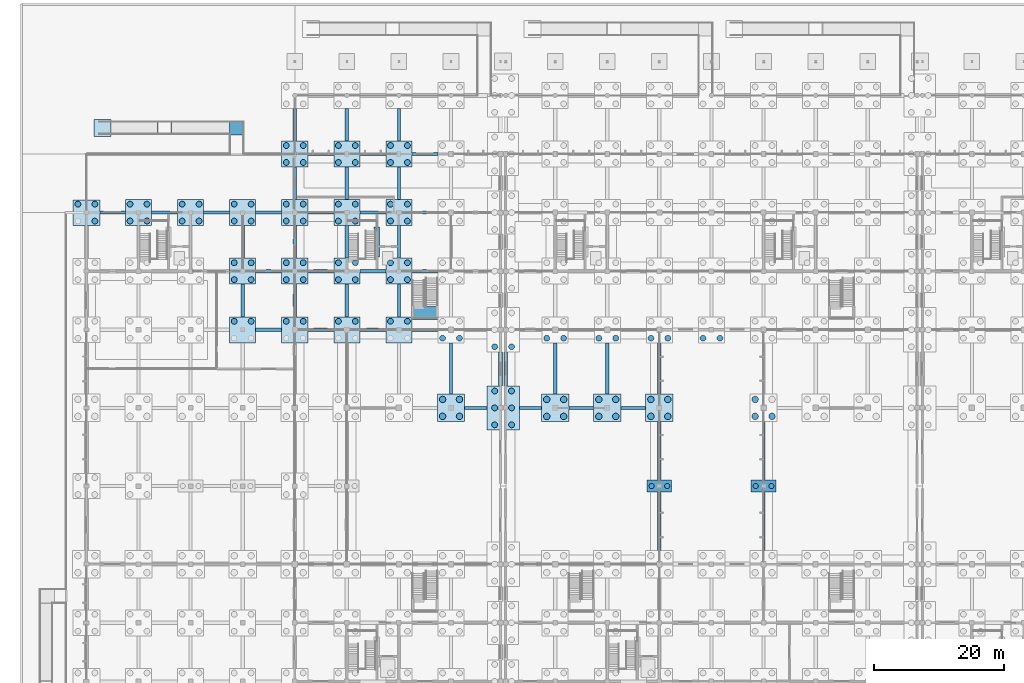
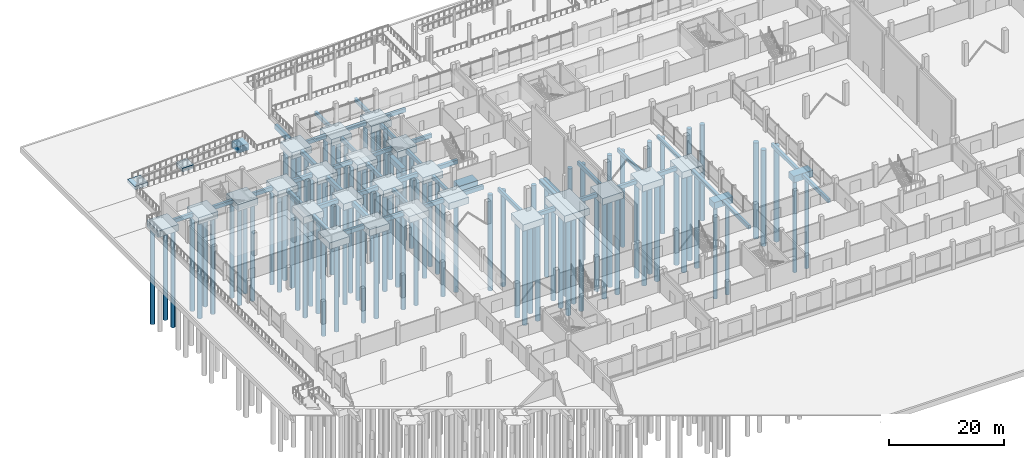
# One storey, part 5 of 72: 104 piles, 76 footings.
"""IFC4 building model written with IfcOpenShell, lengths in metres."""

from ifc_helpers import new_model, si_unit, direction, frame, origin, origin_2d, place, context, subcontext, project, spatial, rectangle, circle, extrude, material, material_profile, profile_set, type_object, element, save


model = new_model("IFC4")

# Units and contexts
model_context = context("Model", 3, precision=1e-05, world=origin(), true_north=direction((0.0, 1.0)))
body_context = subcontext(model_context, "Body", "Model", "MODEL_VIEW")
ifc_project = project(units=[si_unit("LENGTHUNIT", "METRE"), si_unit("AREAUNIT", "SQUARE_METRE"), si_unit("VOLUMEUNIT", "CUBIC_METRE"), si_unit("PLANEANGLEUNIT", "RADIAN"), si_unit("MASSUNIT", "GRAM", prefix="KILO"), si_unit("THERMODYNAMICTEMPERATUREUNIT", "KELVIN"), si_unit("POWERUNIT", "WATT")], contexts=[model_context])

# Site, building, storey
site_placement = place(None, origin())
site = spatial("IfcSite", under=ifc_project, at=site_placement, CompositionType="ELEMENT")
building_placement = place(site_placement, origin())
building = spatial("IfcBuilding", under=site, at=building_placement, Name="Kronsvod Quay Wholesale Market", CompositionType="ELEMENT")
storey_placement = place(building_placement, origin())
storey = spatial("IfcBuildingStorey", under=building, at=storey_placement, Name="L00", CompositionType="ELEMENT", Elevation=0.0)

# Footings
ifc_material_1 = material(Name="Concrete C35/45", Category="concrete")
footing_type_1 = type_object("IfcFootingType", Name="Cap_PC2A", PredefinedType="PILE_CAP", material=ifc_material_1)
for number, where, z_axis, x_axis, name in (
    (1, (88.0, 66.0, -2.64990234375), (0.0, 0.0, 1.0), (1.0, 0.0, 0.0), "CAP-141"),
    (2, (104.0, 66.0, -2.64990234375), (0.0, 0.0, 1.0), (1.0, 0.0, 0.0), "CAP-161"),
):
    element("IfcFooting", number, at=place(storey_placement, frame(where, z_axis=z_axis, x_axis=x_axis)), inside=storey, type_object=footing_type_1, Name=name, PredefinedType="PILE_CAP", context=body_context, shape_type="SweptSolid", body=[
        extrude(rectangle(XDim=3.800048828125, YDim=1.800048828125, at=origin_2d()), origin(), (0.0, 0.0, 1.0), 1.39990234375),
    ])
ifc_material_2 = material(Name="Concrete C35/45", Category="concrete")
footing_type_2 = type_object("IfcFootingType", Name="Cap_PC4A", PredefinedType="PILE_CAP", material=ifc_material_2)
for number, where, z_axis, x_axis, name in (
    (3, (8.0, 108.0, -2.64990234375), (0.0, 0.0, 1.0), (1.0, 0.0, 0.0), "CAP-044"),
    (4, (16.0, 108.0, -2.64990234375), (0.0, 0.0, 1.0), (1.0, 0.0, 0.0), "CAP-056"),
    (5, (24.0, 90.0, -2.64990234375), (0.0, 0.0, 1.0), (1.0, 0.0, 0.0), "CAP-066"),
    (6, (24.0, 99.0, -2.64990234375), (0.0, 0.0, 1.0), (1.0, 0.0, 0.0), "CAP-067"),
    (7, (24.0, 108.0, -2.64990234375), (0.0, 0.0, 1.0), (1.0, 0.0, 0.0), "CAP-068"),
    (8, (32.0, 90.0, -2.64990234375), (0.0, 0.0, 1.0), (1.0, 0.0, 0.0), "CAP-078"),
    (9, (32.0, 99.0, -2.64990234375), (0.0, 0.0, 1.0), (1.0, 0.0, 0.0), "CAP-079"),
    (10, (32.0, 108.0, -2.64990234375), (0.0, 0.0, 1.0), (1.0, 0.0, 0.0), "CAP-080"),
    (11, (32.0, 117.0, -2.64990234375), (0.0, 0.0, 1.0), (1.0, 0.0, 0.0), "CAP-081"),
    (12, (40.0, 90.0, -2.64990234375), (0.0, 0.0, 1.0), (1.0, 0.0, 0.0), "CAP-092"),
    (13, (40.0, 99.0, -2.64990234375), (0.0, 0.0, 1.0), (1.0, 0.0, 0.0), "CAP-093"),
    (14, (40.0, 108.0, -2.64990234375), (0.0, 0.0, 1.0), (1.0, 0.0, 0.0), "CAP-094"),
    (15, (40.0, 117.0, -2.64990234375), (0.0, 0.0, 1.0), (1.0, 0.0, 0.0), "CAP-095"),
    (16, (48.0, 90.0, -2.64990234375), (0.0, 0.0, 1.0), (1.0, 0.0, 0.0), "CAP-102"),
    (17, (48.0, 99.0, -2.64990234375), (0.0, 0.0, 1.0), (1.0, 0.0, 0.0), "CAP-103"),
    (18, (48.0, 108.0, -2.64990234375), (0.0, 0.0, 1.0), (1.0, 0.0, 0.0), "CAP-104"),
    (19, (48.0, 117.0, -2.64990234375), (0.0, 0.0, 1.0), (1.0, 0.0, 0.0), "CAP-105"),
):
    element("IfcFooting", number, at=place(storey_placement, frame(where, z_axis=z_axis, x_axis=x_axis)), inside=storey, type_object=footing_type_2, Name=name, PredefinedType="PILE_CAP", context=body_context, shape_type="SweptSolid", body=[
        extrude(rectangle(XDim=4.0, YDim=4.0, at=origin_2d()), origin(), (0.0, 0.0, 1.0), 1.39990234375),
    ])
ifc_material_3 = material(Name="Concrete C35/45", Category="concrete")
footing_type_3 = type_object("IfcFootingType", Name="Cap_PC4B", PredefinedType="PILE_CAP", material=ifc_material_3)
for number, where, z_axis, x_axis, name in (
    (20, (56.0, 78.0, -2.64990234375), (0.0, 0.0, 1.0), (1.0, 0.0, 0.0), "CAP-111"),
    (21, (72.0, 78.0, -2.64990234375), (0.0, 0.0, 1.0), (1.0, 0.0, 0.0), "CAP-121"),
    (22, (80.0, 78.0, -2.64990234375), (0.0, 0.0, 1.0), (1.0, 0.0, 0.0), "CAP-131"),
    (23, (88.0, 78.0, -2.64990234375), (0.0, 0.0, 1.0), (1.0, 0.0, 0.0), "CAP-142"),
):
    element("IfcFooting", number, at=place(storey_placement, frame(where, z_axis=z_axis, x_axis=x_axis)), inside=storey, type_object=footing_type_3, Name=name, PredefinedType="PILE_CAP", context=body_context, shape_type="SweptSolid", body=[
        extrude(rectangle(XDim=4.199951171875, YDim=4.199951171875, at=origin_2d()), origin(), (0.0, 0.0, 1.0), 1.39990234375),
    ])
ifc_material_4 = material(Name="Concrete C35/45", Category="concrete")
footing_type_4 = type_object("IfcFootingType", Name="Cap_PC4C", PredefinedType="PILE_CAP", material=ifc_material_4)
footing_1_placement = place(storey_placement, frame((0.0, 108.0, -2.64990234375), z_axis=(0.0, 0.0, 1.0), x_axis=(1.0, 0.0, 0.0)))
element("IfcFooting", 24, at=footing_1_placement, inside=storey, type_object=footing_type_4, Name="CAP-032", PredefinedType="PILE_CAP", context=body_context, shape_type="SweptSolid", body=[
    extrude(rectangle(XDim=4.10009765625, YDim=3.89990234375, at=origin_2d()), origin(), (0.0, 0.0, 1.0), 1.39990234375),
])
ifc_material_5 = material(Name="Concrete C35/45", Category="concrete")
footing_type_5 = type_object("IfcFootingType", Name="Cap_PC6H", PredefinedType="PILE_CAP", material=ifc_material_5)
footing_2_placement = place(storey_placement, frame((64.0, 78.0, -2.7001953125), z_axis=(0.0, 0.0, 1.0), x_axis=(1.0, 0.0, 0.0)))
element("IfcFooting", 25, at=footing_2_placement, inside=storey, type_object=footing_type_5, Name="CAP-J009", PredefinedType="PILE_CAP", context=body_context, shape_type="SweptSolid", body=[
    extrude(rectangle(XDim=5.0, YDim=6.800048828125, at=origin_2d()), origin(), (0.0, 0.0, 1.0), 1.449951171875),
])
ifc_material_6 = material(Name="Concrete C35/45", Category="concrete")
ifc_material_profile_1 = material_profile(ifc_material_6, rectangle(XDim=0.5, YDim=0.800048828125, at=origin_2d()), Name="FB-01")
ifc_profile_set_1 = profile_set([ifc_material_profile_1], Name="Concrete C35/45")
footing_type_6 = type_object("IfcFootingType", Name="FootingBeam_500x800", PredefinedType="FOOTING_BEAM", material=ifc_profile_set_1)
footing_3_placement = place(storey_placement, frame((58.10009765625, 78.0, -1.64990234375), z_axis=(1.0, 0.0, 0.0), x_axis=(0.0, 1.0, 0.0)))
element("IfcFooting", 26, at=footing_3_placement, inside=storey, type_object=footing_type_6, Name="FB-X-0060", PredefinedType="FOOTING_BEAM", context=body_context, shape_type="SweptSolid", body=[
    extrude(rectangle(XDim=0.5, YDim=0.800048828125, at=origin_2d()), origin(), (0.0, 0.0, 1.0), 3.39990234375),
])
footing_4_placement = place(storey_placement, frame((2.050048828125, 108.0, -1.64990234375), z_axis=(1.0, 0.0, 0.0), x_axis=(0.0, 1.0, 0.0)))
element("IfcFooting", 27, at=footing_4_placement, inside=storey, type_object=footing_type_6, Name="FB-X-0077", PredefinedType="FOOTING_BEAM", context=body_context, shape_type="SweptSolid", body=[
    extrude(rectangle(XDim=0.5, YDim=0.800048828125, at=origin_2d()), origin(), (0.0, 0.0, 1.0), 3.949951171875),
])
for number, where, z_axis, x_axis, name in (
    (28, (10.0, 108.0, -1.64990234375), (1.0, 0.0, 0.0), (0.0, 1.0, 0.0), "FB-X-0078"),
    (29, (18.0, 108.0, -1.64990234375), (1.0, 0.0, 0.0), (0.0, 1.0, 0.0), "FB-X-0079"),
    (30, (26.0, 108.0, -1.64990234375), (1.0, 0.0, 0.0), (0.0, 1.0, 0.0), "FB-X-0080"),
    (31, (34.0, 108.0, -1.64990234375), (1.0, 0.0, 0.0), (0.0, 1.0, 0.0), "FB-X-0081"),
    (32, (42.0, 108.0, -1.64990234375), (1.0, 0.0, 0.0), (0.0, 1.0, 0.0), "FB-X-0082"),
    (33, (50.0, 108.0, -1.64990234375), (1.0, 0.0, 0.0), (0.0, 1.0, 0.0), "FB-X-0083"),
    (34, (34.0, 117.0, -1.64990234375), (1.0, 0.0, 0.0), (0.0, 1.0, 0.0), "FB-X-0085"),
    (35, (42.0, 117.0, -1.64990234375), (1.0, 0.0, 0.0), (0.0, 1.0, 0.0), "FB-X-0086"),
    (36, (50.0, 117.0, -1.64990234375), (1.0, 0.0, 0.0), (0.0, 1.0, 0.0), "FB-X-0087"),
):
    element("IfcFooting", number, at=place(storey_placement, frame(where, z_axis=z_axis, x_axis=x_axis)), inside=storey, type_object=footing_type_6, Name=name, PredefinedType="FOOTING_BEAM", context=body_context, shape_type="SweptSolid", body=[
        extrude(rectangle(XDim=0.5, YDim=0.800048828125, at=origin_2d()), origin(), (0.0, 0.0, 1.0), 4.0),
    ])
for number, where, z_axis, x_axis, name in (
    (37, (24.0, 92.0, -1.64990234375), (0.0, 1.0, 0.0), (-1.0, 0.0, 0.0), "FB-Y-0137"),
    (38, (24.0, 101.0, -1.64990234375), (0.0, 1.0, 0.0), (-1.0, 0.0, 0.0), "FB-Y-0138"),
    (39, (40.0, 92.0, -1.64990234375), (0.0, 1.0, 0.0), (-1.0, 0.0, 0.0), "FB-Y-0161"),
    (40, (40.0, 101.0, -1.64990234375), (0.0, 1.0, 0.0), (-1.0, 0.0, 0.0), "FB-Y-0162"),
    (41, (40.0, 110.0, -1.64990234375), (0.0, 1.0, 0.0), (-1.0, 0.0, 0.0), "FB-Y-0163"),
    (42, (40.0, 119.0, -1.64990234375), (0.0, 1.0, 0.0), (-1.0, 0.0, 0.0), "FB-Y-0164"),
    (43, (48.0, 92.0, -1.64990234375), (0.0, 1.0, 0.0), (-1.0, 0.0, 0.0), "FB-Y-0169"),
    (44, (48.0, 101.0, -1.64990234375), (0.0, 1.0, 0.0), (-1.0, 0.0, 0.0), "FB-Y-0170"),
    (45, (48.0, 110.0, -1.64990234375), (0.0, 1.0, 0.0), (-1.0, 0.0, 0.0), "FB-Y-0171"),
    (46, (48.0, 119.0, -1.64990234375), (0.0, 1.0, 0.0), (-1.0, 0.0, 0.0), "FB-Y-0172"),
):
    element("IfcFooting", number, at=place(storey_placement, frame(where, z_axis=z_axis, x_axis=x_axis)), inside=storey, type_object=footing_type_6, Name=name, PredefinedType="FOOTING_BEAM", context=body_context, shape_type="SweptSolid", body=[
        extrude(rectangle(XDim=0.5, YDim=0.800048828125, at=origin_2d()), origin(), (0.0, 0.0, 1.0), 5.0),
    ])
footing_5_placement = place(storey_placement, frame((56.0, 80.10009765625, -1.64990234375), z_axis=(0.0, 1.0, 0.0), x_axis=(-1.0, 0.0, 0.0)))
element("IfcFooting", 47, at=footing_5_placement, inside=storey, type_object=footing_type_6, Name="FB-Y-0176", PredefinedType="FOOTING_BEAM", context=body_context, shape_type="SweptSolid", body=[
    extrude(rectangle(XDim=0.5, YDim=0.800048828125, at=origin_2d()), origin(), (0.0, 0.0, 1.0), 7.89990234375),
])
footing_6_placement = place(storey_placement, frame((66.5, 78.0, -1.64990234375), z_axis=(1.0, 0.0, 0.0), x_axis=(0.0, 1.0, 0.0)))
element("IfcFooting", 48, at=footing_6_placement, inside=storey, type_object=footing_type_6, Name="FB-X-0221", PredefinedType="FOOTING_BEAM", context=body_context, shape_type="SweptSolid", body=[
    extrude(rectangle(XDim=0.5, YDim=0.800048828125, at=origin_2d()), origin(), (0.0, 0.0, 1.0), 3.39990234375),
])
for number, where, z_axis, x_axis, name in (
    (49, (74.10009765625, 78.0, -1.64990234375), (1.0, 0.0, 0.0), (0.0, 1.0, 0.0), "FB-X-0222"),
    (50, (82.10009765625, 78.0, -1.64990234375), (1.0, 0.0, 0.0), (0.0, 1.0, 0.0), "FB-X-0223"),
):
    element("IfcFooting", number, at=place(storey_placement, frame(where, z_axis=z_axis, x_axis=x_axis)), inside=storey, type_object=footing_type_6, Name=name, PredefinedType="FOOTING_BEAM", context=body_context, shape_type="SweptSolid", body=[
        extrude(rectangle(XDim=0.5, YDim=0.800048828125, at=origin_2d()), origin(), (0.0, 0.0, 1.0), 3.7998046875),
    ])
for number, where, z_axis, x_axis, name in (
    (51, (72.0, 80.10009765625, -1.64990234375), (0.0, 1.0, 0.0), (-1.0, 0.0, 0.0), "FB-Y-0278"),
    (52, (80.0, 80.10009765625, -1.64990234375), (0.0, 1.0, 0.0), (-1.0, 0.0, 0.0), "FB-Y-0286"),
):
    element("IfcFooting", number, at=place(storey_placement, frame(where, z_axis=z_axis, x_axis=x_axis)), inside=storey, type_object=footing_type_6, Name=name, PredefinedType="FOOTING_BEAM", context=body_context, shape_type="SweptSolid", body=[
        extrude(rectangle(XDim=0.5, YDim=0.800048828125, at=origin_2d()), origin(), (0.0, 0.0, 1.0), 7.89990234375),
    ])
for number, where, z_axis, x_axis, name in (
    (53, (88.0, 56.10009765625, -1.64990234375), (0.0, 1.0, 0.0), (-1.0, 0.0, 0.0), "FB-Y-0294"),
    (54, (88.0, 66.89990234375, -1.64990234375), (0.0, 1.0, 0.0), (-1.0, 0.0, 0.0), "FB-Y-0295"),
):
    element("IfcFooting", number, at=place(storey_placement, frame(where, z_axis=z_axis, x_axis=x_axis)), inside=storey, type_object=footing_type_6, Name=name, PredefinedType="FOOTING_BEAM", context=body_context, shape_type="SweptSolid", body=[
        extrude(rectangle(XDim=0.5, YDim=0.800048828125, at=origin_2d()), origin(), (0.0, 0.0, 1.0), 9.0),
    ])
footing_7_placement = place(storey_placement, frame((88.0, 80.10009765625, -1.64990234375), z_axis=(0.0, 1.0, 0.0), x_axis=(-1.0, 0.0, 0.0)))
element("IfcFooting", 55, at=footing_7_placement, inside=storey, type_object=footing_type_6, Name="FB-Y-0296", PredefinedType="FOOTING_BEAM", context=body_context, shape_type="SweptSolid", body=[
    extrude(rectangle(XDim=0.5, YDim=0.800048828125, at=origin_2d()), origin(), (0.0, 0.0, 1.0), 7.89990234375),
])
for number, where, z_axis, x_axis, name in (
    (56, (104.0, 56.10009765625, -1.64990234375), (0.0, 1.0, 0.0), (-1.0, 0.0, 0.0), "FB-Y-0311"),
    (57, (104.0, 66.89990234375, -1.64990234375), (0.0, 1.0, 0.0), (-1.0, 0.0, 0.0), "FB-Y-0312"),
):
    element("IfcFooting", number, at=place(storey_placement, frame(where, z_axis=z_axis, x_axis=x_axis)), inside=storey, type_object=footing_type_6, Name=name, PredefinedType="FOOTING_BEAM", context=body_context, shape_type="SweptSolid", body=[
        extrude(rectangle(XDim=0.5, YDim=0.800048828125, at=origin_2d()), origin(), (0.0, 0.0, 1.0), 9.0),
    ])
ifc_material_7 = material(Name="Concrete C35/45", Category="concrete")
ifc_material_profile_2 = material_profile(ifc_material_7, rectangle(XDim=0.550048828125, YDim=0.85009765625, at=origin_2d()), Name="FB-03")
ifc_profile_set_2 = profile_set([ifc_material_profile_2], Name="Concrete C35/45")
footing_type_7 = type_object("IfcFootingType", Name="FootingBeam_550x850", PredefinedType="FOOTING_BEAM", material=ifc_profile_set_2)
for number, where, z_axis, x_axis, name in (
    (58, (26.0, 90.0, -1.675048828125), (1.0, 0.0, 0.0), (0.0, 1.0, 0.0), "FB-X-0064"),
    (59, (34.0, 90.0, -1.675048828125), (1.0, 0.0, 0.0), (0.0, 1.0, 0.0), "FB-X-0065"),
    (60, (42.0, 90.0, -1.675048828125), (1.0, 0.0, 0.0), (0.0, 1.0, 0.0), "FB-X-0066"),
    (61, (50.0, 90.0, -1.675048828125), (1.0, 0.0, 0.0), (0.0, 1.0, 0.0), "FB-X-0067"),
    (62, (26.0, 99.0, -1.675048828125), (1.0, 0.0, 0.0), (0.0, 1.0, 0.0), "FB-X-0072"),
    (63, (34.0, 99.0, -1.675048828125), (1.0, 0.0, 0.0), (0.0, 1.0, 0.0), "FB-X-0073"),
    (64, (42.0, 99.0, -1.675048828125), (1.0, 0.0, 0.0), (0.0, 1.0, 0.0), "FB-X-0074"),
    (65, (50.0, 99.0, -1.675048828125), (1.0, 0.0, 0.0), (0.0, 1.0, 0.0), "FB-X-0075"),
):
    element("IfcFooting", number, at=place(storey_placement, frame(where, z_axis=z_axis, x_axis=x_axis)), inside=storey, type_object=footing_type_7, Name=name, PredefinedType="FOOTING_BEAM", context=body_context, shape_type="SweptSolid", body=[
        extrude(rectangle(XDim=0.550048828125, YDim=0.85009765625, at=origin_2d()), origin(), (0.0, 0.0, 1.0), 4.0),
    ])
ifc_material_8 = material(Name="Concrete C35/45", Category="concrete")
ifc_material_profile_3 = material_profile(ifc_material_8, rectangle(XDim=0.60009765625, YDim=0.89990234375, at=origin_2d()), Name="FB-02")
ifc_profile_set_3 = profile_set([ifc_material_profile_3], Name="Concrete C35/45")
footing_type_8 = type_object("IfcFootingType", Name="FootingBeam_600x900", PredefinedType="FOOTING_BEAM", material=ifc_profile_set_3)
for number, where, z_axis, x_axis, name in (
    (66, (32.0, 92.0, -1.699951171875), (0.0, 1.0, 0.0), (-1.0, 0.0, 0.0), "FB-Y-0148"),
    (67, (32.0, 101.0, -1.699951171875), (0.0, 1.0, 0.0), (-1.0, 0.0, 0.0), "FB-Y-0149"),
    (68, (32.0, 110.0, -1.699951171875), (0.0, 1.0, 0.0), (-1.0, 0.0, 0.0), "FB-Y-0150"),
    (69, (32.0, 119.0, -1.699951171875), (0.0, 1.0, 0.0), (-1.0, 0.0, 0.0), "FB-Y-0151"),
):
    element("IfcFooting", number, at=place(storey_placement, frame(where, z_axis=z_axis, x_axis=x_axis)), inside=storey, type_object=footing_type_8, Name=name, PredefinedType="FOOTING_BEAM", context=body_context, shape_type="SweptSolid", body=[
        extrude(rectangle(XDim=0.60009765625, YDim=0.89990234375, at=origin_2d()), origin(), (0.0, 0.0, 1.0), 5.0),
    ])
for number, where, z_axis, x_axis, name in (
    (70, (63.60009765625, 81.39990234375, -1.699951171875), (0.0, 1.0, 0.0), (-1.0, 0.0, 0.0), "FB-Y-0184"),
    (71, (64.39990234375, 81.39990234375, -1.699951171875), (0.0, 1.0, 0.0), (-1.0, 0.0, 0.0), "FB-Y-0270"),
):
    element("IfcFooting", number, at=place(storey_placement, frame(where, z_axis=z_axis, x_axis=x_axis)), inside=storey, type_object=footing_type_8, Name=name, PredefinedType="FOOTING_BEAM", context=body_context, shape_type="SweptSolid", body=[
        extrude(rectangle(XDim=0.60009765625, YDim=0.89990234375, at=origin_2d()), origin(), (0.0, 0.0, 1.0), 5.2001953125),
    ])
ifc_material_9 = material(Name="Concrete C35/45", Category="concrete")
footing_type_9 = type_object("IfcFootingType", Name="Pad_PF2", PredefinedType="PAD_FOOTING", material=ifc_material_9)
footing_8_placement = place(storey_placement, frame((52.0, 92.60009765625, -2.7001953125), z_axis=(0.0, 0.0, 1.0), x_axis=(1.0, 0.0, 0.0)))
element("IfcFooting", 72, at=footing_8_placement, inside=storey, type_object=footing_type_9, Name="ST-CON-W-FND", PredefinedType="PAD_FOOTING", context=body_context, shape_type="SweptSolid", body=[
    extrude(rectangle(XDim=3.800048828125, YDim=2.0, at=origin_2d()), origin(), (0.0, 0.0, 1.0), 1.449951171875),
])
ifc_material_10 = material(Name="Concrete C35/45", Category="concrete")
footing_type_10 = type_object("IfcFootingType", Name="Pad_PFRamp", PredefinedType="PAD_FOOTING", material=ifc_material_10)
footing_9_placement = place(storey_placement, frame((2.5, 121.0, -1.89990234375), z_axis=(0.0, 0.0, 1.0), x_axis=(1.0, 0.0, 0.0)))
element("IfcFooting", 73, at=footing_9_placement, inside=storey, type_object=footing_type_10, Name="PAD-08", PredefinedType="PAD_FOOTING", context=body_context, shape_type="SweptSolid", body=[
    extrude(rectangle(XDim=2.60009765625, YDim=2.60009765625, at=origin_2d()), origin(), (0.0, 0.0, 1.0), 0.699951171875),
])
footing_10_placement = place(storey_placement, frame((12.0, 121.0, -1.60009765625), z_axis=(0.0, 0.0, 1.0), x_axis=(1.0, 0.0, 0.0)))
element("IfcFooting", 74, at=footing_10_placement, inside=storey, type_object=footing_type_10, Name="RMP-NW1-PIER1", PredefinedType="PAD_FOOTING", context=body_context, shape_type="SweptSolid", body=[
    extrude(rectangle(XDim=2.199951171875, YDim=2.199951171875, at=origin_2d()), origin(), (0.0, 0.0, 1.0), 0.780029296875),
])
footing_11_placement = place(storey_placement, frame((23.10009765625, 121.0, -1.599853515625), z_axis=(0.0, 0.0, 1.0), x_axis=(1.0, 0.0, 0.0)))
element("IfcFooting", 75, at=footing_11_placement, inside=storey, type_object=footing_type_10, Name="RMP-NW1-PIER2", PredefinedType="PAD_FOOTING", context=body_context, shape_type="SweptSolid", body=[
    extrude(rectangle(XDim=2.199951171875, YDim=2.199951171875, at=origin_2d()), origin(), (0.0, 0.0, 1.0), 1.3798828125),
])

# Piles
ifc_material_11 = material(Name="Concrete C35/45", Category="concrete")
ifc_material_profile_4 = material_profile(ifc_material_11, circle(Radius=0.5, at=origin_2d()), Name="PILE1000")
ifc_profile_set_4 = profile_set([ifc_material_profile_4], Name="Concrete C35/45")
pile_type_1 = type_object("IfcPileType", Name="Pile_PILE1000", PredefinedType="BORED", material=ifc_profile_set_4)
for number, where, z_axis, x_axis, name in (
    (76, (54.699951171875, 76.699951171875, -2.64990234375), (0.0, 0.0, -1.0), (1.0, 0.0, 0.0), "PILE-0447"),
    (77, (54.699951171875, 79.300048828125, -2.64990234375), (0.0, 0.0, -1.0), (1.0, 0.0, 0.0), "PILE-0448"),
    (78, (57.300048828125, 76.699951171875, -2.64990234375), (0.0, 0.0, -1.0), (1.0, 0.0, 0.0), "PILE-0449"),
    (79, (57.300048828125, 79.300048828125, -2.64990234375), (0.0, 0.0, -1.0), (1.0, 0.0, 0.0), "PILE-0450"),
    (80, (70.699951171875, 76.699951171875, -2.64990234375), (0.0, 0.0, -1.0), (1.0, 0.0, 0.0), "PILE-0485"),
    (81, (70.699951171875, 79.300048828125, -2.64990234375), (0.0, 0.0, -1.0), (1.0, 0.0, 0.0), "PILE-0486"),
    (82, (73.300048828125, 76.699951171875, -2.64990234375), (0.0, 0.0, -1.0), (1.0, 0.0, 0.0), "PILE-0487"),
    (83, (73.300048828125, 79.300048828125, -2.64990234375), (0.0, 0.0, -1.0), (1.0, 0.0, 0.0), "PILE-0488"),
    (84, (78.699951171875, 76.699951171875, -2.64990234375), (0.0, 0.0, -1.0), (1.0, 0.0, 0.0), "PILE-0523"),
    (85, (78.699951171875, 79.300048828125, -2.64990234375), (0.0, 0.0, -1.0), (1.0, 0.0, 0.0), "PILE-0524"),
    (86, (81.300048828125, 76.699951171875, -2.64990234375), (0.0, 0.0, -1.0), (1.0, 0.0, 0.0), "PILE-0525"),
    (87, (81.300048828125, 79.300048828125, -2.64990234375), (0.0, 0.0, -1.0), (1.0, 0.0, 0.0), "PILE-0526"),
    (88, (86.699951171875, 76.699951171875, -2.64990234375), (0.0, 0.0, -1.0), (1.0, 0.0, 0.0), "PILE-0563"),
    (89, (86.699951171875, 79.300048828125, -2.64990234375), (0.0, 0.0, -1.0), (1.0, 0.0, 0.0), "PILE-0564"),
    (90, (89.300048828125, 76.699951171875, -2.64990234375), (0.0, 0.0, -1.0), (1.0, 0.0, 0.0), "PILE-0565"),
    (91, (89.300048828125, 79.300048828125, -2.64990234375), (0.0, 0.0, -1.0), (1.0, 0.0, 0.0), "PILE-0566"),
    (92, (102.699951171875, 76.699951171875, -2.64990234375), (0.0, 0.0, -1.0), (1.0, 0.0, 0.0), "PILE-0637"),
    (93, (102.699951171875, 79.300048828125, -2.64990234375), (0.0, 0.0, -1.0), (1.0, 0.0, 0.0), "PILE-0638"),
    (94, (105.300048828125, 76.699951171875, -2.64990234375), (0.0, 0.0, -1.0), (1.0, 0.0, 0.0), "PILE-0639"),
):
    element("IfcPile", number, at=place(storey_placement, frame(where, z_axis=z_axis, x_axis=x_axis)), inside=storey, type_object=pile_type_1, Name=name, PredefinedType="BORED", context=body_context, shape_type="SweptSolid", body=[
        extrude(circle(Radius=0.5, at=origin_2d()), origin(), (0.0, 0.0, 1.0), 20.39990234375),
    ])
ifc_material_12 = material(Name="Concrete C35/45", Category="concrete")
ifc_material_profile_5 = material_profile(ifc_material_12, circle(Radius=0.39990234375, at=origin_2d()), Name="PILE800")
ifc_profile_set_5 = profile_set([ifc_material_profile_5], Name="Concrete C35/45")
pile_type_2 = type_object("IfcPileType", Name="Pile_PILE800", PredefinedType="BORED", material=ifc_profile_set_5)
for number, where, z_axis, x_axis, name in (
    (95, (86.800048828125, 66.0, -2.64990234375), (0.0, 0.0, -1.0), (1.0, 0.0, 0.0), "PILE-0561"),
    (96, (89.199951171875, 66.0, -2.64990234375), (0.0, 0.0, -1.0), (1.0, 0.0, 0.0), "PILE-0562"),
    (97, (102.800048828125, 66.0, -2.64990234375), (0.0, 0.0, -1.0), (1.0, 0.0, 0.0), "PILE-0635"),
    (98, (105.199951171875, 66.0, -2.64990234375), (0.0, 0.0, -1.0), (1.0, 0.0, 0.0), "PILE-0636"),
):
    element("IfcPile", number, at=place(storey_placement, frame(where, z_axis=z_axis, x_axis=x_axis)), inside=storey, type_object=pile_type_2, Name=name, PredefinedType="BORED", context=body_context, shape_type="SweptSolid", body=[
        extrude(circle(Radius=0.39990234375, at=origin_2d()), origin(), (0.0, 0.0, 1.0), 19.60009765625),
    ])
ifc_material_13 = material(Name="Concrete C35/45", Category="concrete")
ifc_material_profile_6 = material_profile(ifc_material_13, circle(Radius=0.449951171875, at=origin_2d()), Name="PILE900")
ifc_profile_set_6 = profile_set([ifc_material_profile_6], Name="Concrete C35/45")
pile_type_3 = type_object("IfcPileType", Name="Pile_PILE900", PredefinedType="BORED", material=ifc_profile_set_6)
for number, where, z_axis, x_axis, name in (
    (99, (62.699951171875, 75.39990234375, -2.64990234375), (0.0, 0.0, -1.0), (1.0, 0.0, 0.0), "PILE-0049"),
    (100, (62.699951171875, 78.0, -2.64990234375), (0.0, 0.0, -1.0), (1.0, 0.0, 0.0), "PILE-0050"),
    (101, (62.699951171875, 80.60009765625, -2.64990234375), (0.0, 0.0, -1.0), (1.0, 0.0, 0.0), "PILE-0051"),
    (102, (65.300048828125, 75.39990234375, -2.64990234375), (0.0, 0.0, -1.0), (1.0, 0.0, 0.0), "PILE-0052"),
    (103, (65.300048828125, 78.0, -2.64990234375), (0.0, 0.0, -1.0), (1.0, 0.0, 0.0), "PILE-0053"),
    (104, (65.300048828125, 80.60009765625, -2.64990234375), (0.0, 0.0, -1.0), (1.0, 0.0, 0.0), "PILE-0054"),
    (105, (62.699951171875, 87.39990234375, -2.64990234375), (0.0, 0.0, -1.0), (1.0, 0.0, 0.0), "PILE-0061"),
    (106, (65.300048828125, 87.39990234375, -2.64990234375), (0.0, 0.0, -1.0), (1.0, 0.0, 0.0), "PILE-0064"),
    (107, (-1.300048828125, 109.300048828125, -2.64990234375), (0.0, 0.0, -1.0), (1.0, 0.0, 0.0), "PILE-0162"),
    (108, (1.300048828125, 106.699951171875, -2.64990234375), (0.0, 0.0, -1.0), (1.0, 0.0, 0.0), "PILE-0163"),
    (109, (1.300048828125, 109.300048828125, -2.64990234375), (0.0, 0.0, -1.0), (1.0, 0.0, 0.0), "PILE-0164"),
    (110, (6.699951171875, 106.699951171875, -2.64990234375), (0.0, 0.0, -1.0), (1.0, 0.0, 0.0), "PILE-0205"),
    (111, (6.699951171875, 109.300048828125, -2.64990234375), (0.0, 0.0, -1.0), (1.0, 0.0, 0.0), "PILE-0206"),
    (112, (9.300048828125, 106.699951171875, -2.64990234375), (0.0, 0.0, -1.0), (1.0, 0.0, 0.0), "PILE-0207"),
    (113, (9.300048828125, 109.300048828125, -2.64990234375), (0.0, 0.0, -1.0), (1.0, 0.0, 0.0), "PILE-0208"),
    (114, (14.699951171875, 106.699951171875, -2.64990234375), (0.0, 0.0, -1.0), (1.0, 0.0, 0.0), "PILE-0247"),
    (115, (14.699951171875, 109.300048828125, -2.64990234375), (0.0, 0.0, -1.0), (1.0, 0.0, 0.0), "PILE-0248"),
    (116, (17.300048828125, 106.699951171875, -2.64990234375), (0.0, 0.0, -1.0), (1.0, 0.0, 0.0), "PILE-0249"),
    (117, (17.300048828125, 109.300048828125, -2.64990234375), (0.0, 0.0, -1.0), (1.0, 0.0, 0.0), "PILE-0250"),
    (118, (22.699951171875, 91.300048828125, -2.64990234375), (0.0, 0.0, -1.0), (1.0, 0.0, 0.0), "PILE-0282"),
    (119, (25.300048828125, 91.300048828125, -2.64990234375), (0.0, 0.0, -1.0), (1.0, 0.0, 0.0), "PILE-0284"),
    (120, (22.699951171875, 97.699951171875, -2.64990234375), (0.0, 0.0, -1.0), (1.0, 0.0, 0.0), "PILE-0285"),
    (121, (22.699951171875, 100.300048828125, -2.64990234375), (0.0, 0.0, -1.0), (1.0, 0.0, 0.0), "PILE-0286"),
    (122, (25.300048828125, 97.699951171875, -2.64990234375), (0.0, 0.0, -1.0), (1.0, 0.0, 0.0), "PILE-0287"),
    (123, (25.300048828125, 100.300048828125, -2.64990234375), (0.0, 0.0, -1.0), (1.0, 0.0, 0.0), "PILE-0288"),
    (124, (22.699951171875, 106.699951171875, -2.64990234375), (0.0, 0.0, -1.0), (1.0, 0.0, 0.0), "PILE-0289"),
    (125, (22.699951171875, 109.300048828125, -2.64990234375), (0.0, 0.0, -1.0), (1.0, 0.0, 0.0), "PILE-0290"),
    (126, (25.300048828125, 106.699951171875, -2.64990234375), (0.0, 0.0, -1.0), (1.0, 0.0, 0.0), "PILE-0291"),
    (127, (25.300048828125, 109.300048828125, -2.64990234375), (0.0, 0.0, -1.0), (1.0, 0.0, 0.0), "PILE-0292"),
    (128, (30.699951171875, 91.300048828125, -2.64990234375), (0.0, 0.0, -1.0), (1.0, 0.0, 0.0), "PILE-0326"),
    (129, (33.300048828125, 91.300048828125, -2.64990234375), (0.0, 0.0, -1.0), (1.0, 0.0, 0.0), "PILE-0328"),
    (130, (30.699951171875, 97.699951171875, -2.64990234375), (0.0, 0.0, -1.0), (1.0, 0.0, 0.0), "PILE-0329"),
    (131, (30.699951171875, 100.300048828125, -2.64990234375), (0.0, 0.0, -1.0), (1.0, 0.0, 0.0), "PILE-0330"),
    (132, (33.300048828125, 97.699951171875, -2.64990234375), (0.0, 0.0, -1.0), (1.0, 0.0, 0.0), "PILE-0331"),
    (133, (33.300048828125, 100.300048828125, -2.64990234375), (0.0, 0.0, -1.0), (1.0, 0.0, 0.0), "PILE-0332"),
    (134, (30.699951171875, 106.699951171875, -2.64990234375), (0.0, 0.0, -1.0), (1.0, 0.0, 0.0), "PILE-0333"),
    (135, (30.699951171875, 109.300048828125, -2.64990234375), (0.0, 0.0, -1.0), (1.0, 0.0, 0.0), "PILE-0334"),
    (136, (33.300048828125, 106.699951171875, -2.64990234375), (0.0, 0.0, -1.0), (1.0, 0.0, 0.0), "PILE-0335"),
    (137, (33.300048828125, 109.300048828125, -2.64990234375), (0.0, 0.0, -1.0), (1.0, 0.0, 0.0), "PILE-0336"),
    (138, (30.699951171875, 115.699951171875, -2.64990234375), (0.0, 0.0, -1.0), (1.0, 0.0, 0.0), "PILE-0337"),
    (139, (30.699951171875, 118.300048828125, -2.64990234375), (0.0, 0.0, -1.0), (1.0, 0.0, 0.0), "PILE-0338"),
    (140, (33.300048828125, 115.699951171875, -2.64990234375), (0.0, 0.0, -1.0), (1.0, 0.0, 0.0), "PILE-0339"),
    (141, (33.300048828125, 118.300048828125, -2.64990234375), (0.0, 0.0, -1.0), (1.0, 0.0, 0.0), "PILE-0340"),
    (142, (38.699951171875, 91.300048828125, -2.64990234375), (0.0, 0.0, -1.0), (1.0, 0.0, 0.0), "PILE-0376"),
    (143, (41.300048828125, 91.300048828125, -2.64990234375), (0.0, 0.0, -1.0), (1.0, 0.0, 0.0), "PILE-0378"),
    (144, (38.699951171875, 97.699951171875, -2.64990234375), (0.0, 0.0, -1.0), (1.0, 0.0, 0.0), "PILE-0379"),
    (145, (38.699951171875, 100.300048828125, -2.64990234375), (0.0, 0.0, -1.0), (1.0, 0.0, 0.0), "PILE-0380"),
    (146, (41.300048828125, 97.699951171875, -2.64990234375), (0.0, 0.0, -1.0), (1.0, 0.0, 0.0), "PILE-0381"),
    (147, (41.300048828125, 100.300048828125, -2.64990234375), (0.0, 0.0, -1.0), (1.0, 0.0, 0.0), "PILE-0382"),
    (148, (38.699951171875, 106.699951171875, -2.64990234375), (0.0, 0.0, -1.0), (1.0, 0.0, 0.0), "PILE-0383"),
    (149, (38.699951171875, 109.300048828125, -2.64990234375), (0.0, 0.0, -1.0), (1.0, 0.0, 0.0), "PILE-0384"),
    (150, (41.300048828125, 106.699951171875, -2.64990234375), (0.0, 0.0, -1.0), (1.0, 0.0, 0.0), "PILE-0385"),
    (151, (41.300048828125, 109.300048828125, -2.64990234375), (0.0, 0.0, -1.0), (1.0, 0.0, 0.0), "PILE-0386"),
    (152, (38.699951171875, 115.699951171875, -2.64990234375), (0.0, 0.0, -1.0), (1.0, 0.0, 0.0), "PILE-0387"),
    (153, (38.699951171875, 118.300048828125, -2.64990234375), (0.0, 0.0, -1.0), (1.0, 0.0, 0.0), "PILE-0388"),
    (154, (41.300048828125, 115.699951171875, -2.64990234375), (0.0, 0.0, -1.0), (1.0, 0.0, 0.0), "PILE-0389"),
    (155, (41.300048828125, 118.300048828125, -2.64990234375), (0.0, 0.0, -1.0), (1.0, 0.0, 0.0), "PILE-0390"),
    (156, (46.699951171875, 91.300048828125, -2.64990234375), (0.0, 0.0, -1.0), (1.0, 0.0, 0.0), "PILE-0414"),
    (157, (49.300048828125, 91.300048828125, -2.64990234375), (0.0, 0.0, -1.0), (1.0, 0.0, 0.0), "PILE-0416"),
    (158, (46.699951171875, 97.699951171875, -2.64990234375), (0.0, 0.0, -1.0), (1.0, 0.0, 0.0), "PILE-0417"),
    (159, (46.699951171875, 100.300048828125, -2.64990234375), (0.0, 0.0, -1.0), (1.0, 0.0, 0.0), "PILE-0418"),
    (160, (49.300048828125, 97.699951171875, -2.64990234375), (0.0, 0.0, -1.0), (1.0, 0.0, 0.0), "PILE-0419"),
    (161, (49.300048828125, 100.300048828125, -2.64990234375), (0.0, 0.0, -1.0), (1.0, 0.0, 0.0), "PILE-0420"),
    (162, (46.699951171875, 106.699951171875, -2.64990234375), (0.0, 0.0, -1.0), (1.0, 0.0, 0.0), "PILE-0421"),
    (163, (46.699951171875, 109.300048828125, -2.64990234375), (0.0, 0.0, -1.0), (1.0, 0.0, 0.0), "PILE-0422"),
    (164, (49.300048828125, 106.699951171875, -2.64990234375), (0.0, 0.0, -1.0), (1.0, 0.0, 0.0), "PILE-0423"),
    (165, (49.300048828125, 109.300048828125, -2.64990234375), (0.0, 0.0, -1.0), (1.0, 0.0, 0.0), "PILE-0424"),
    (166, (46.699951171875, 115.699951171875, -2.64990234375), (0.0, 0.0, -1.0), (1.0, 0.0, 0.0), "PILE-0425"),
    (167, (46.699951171875, 118.300048828125, -2.64990234375), (0.0, 0.0, -1.0), (1.0, 0.0, 0.0), "PILE-0426"),
    (168, (49.300048828125, 115.699951171875, -2.64990234375), (0.0, 0.0, -1.0), (1.0, 0.0, 0.0), "PILE-0427"),
    (169, (49.300048828125, 118.300048828125, -2.64990234375), (0.0, 0.0, -1.0), (1.0, 0.0, 0.0), "PILE-0428"),
    (170, (54.699951171875, 88.699951171875, -2.64990234375), (0.0, 0.0, -1.0), (1.0, 0.0, 0.0), "PILE-0451"),
    (171, (57.300048828125, 88.699951171875, -2.64990234375), (0.0, 0.0, -1.0), (1.0, 0.0, 0.0), "PILE-0453"),
    (172, (70.699951171875, 88.699951171875, -2.64990234375), (0.0, 0.0, -1.0), (1.0, 0.0, 0.0), "PILE-0489"),
    (173, (73.300048828125, 88.699951171875, -2.64990234375), (0.0, 0.0, -1.0), (1.0, 0.0, 0.0), "PILE-0491"),
    (174, (78.699951171875, 88.699951171875, -2.64990234375), (0.0, 0.0, -1.0), (1.0, 0.0, 0.0), "PILE-0527"),
    (175, (81.300048828125, 88.699951171875, -2.64990234375), (0.0, 0.0, -1.0), (1.0, 0.0, 0.0), "PILE-0529"),
    (176, (86.699951171875, 88.699951171875, -2.64990234375), (0.0, 0.0, -1.0), (1.0, 0.0, 0.0), "PILE-0567"),
    (177, (89.300048828125, 88.699951171875, -2.64990234375), (0.0, 0.0, -1.0), (1.0, 0.0, 0.0), "PILE-0569"),
    (178, (94.699951171875, 88.699951171875, -2.64990234375), (0.0, 0.0, -1.0), (1.0, 0.0, 0.0), "PILE-0601"),
    (179, (97.300048828125, 88.699951171875, -2.64990234375), (0.0, 0.0, -1.0), (1.0, 0.0, 0.0), "PILE-0603"),
):
    element("IfcPile", number, at=place(storey_placement, frame(where, z_axis=z_axis, x_axis=x_axis)), inside=storey, type_object=pile_type_3, Name=name, PredefinedType="BORED", context=body_context, shape_type="SweptSolid", body=[
        extrude(circle(Radius=0.449951171875, at=origin_2d()), origin(), (0.0, 0.0, 1.0), 20.39990234375),
    ])

# Footing
ifc_material_14 = material(Name="Concrete C35/45", Category="concrete")
ifc_material_profile_7 = material_profile(ifc_material_14, rectangle(XDim=0.800048828125, YDim=1.199951171875, at=origin_2d()), Name="SF-01")
ifc_profile_set_7 = profile_set([ifc_material_profile_7], Name="Concrete C35/45")
footing_type_11 = type_object("IfcFootingType", Name="StripFooting_800x1200", PredefinedType="STRIP_FOOTING", material=ifc_profile_set_7)
footing_12_placement = place(storey_placement, frame((44.60009765625, 101.199951171875, -1.85009765625), z_axis=(0.0, 1.0, 0.0), x_axis=(-1.0, 0.0, 0.0)))
element("IfcFooting", 180, at=footing_12_placement, inside=storey, type_object=footing_type_11, Name="SF-C07-DIV", PredefinedType="STRIP_FOOTING", context=body_context, shape_type="SweptSolid", body=[
    extrude(rectangle(XDim=0.800048828125, YDim=1.199951171875, at=origin_2d()), origin(), (0.0, 0.0, 1.0), 4.60009765625),
])

save(model, "model.ifc")
